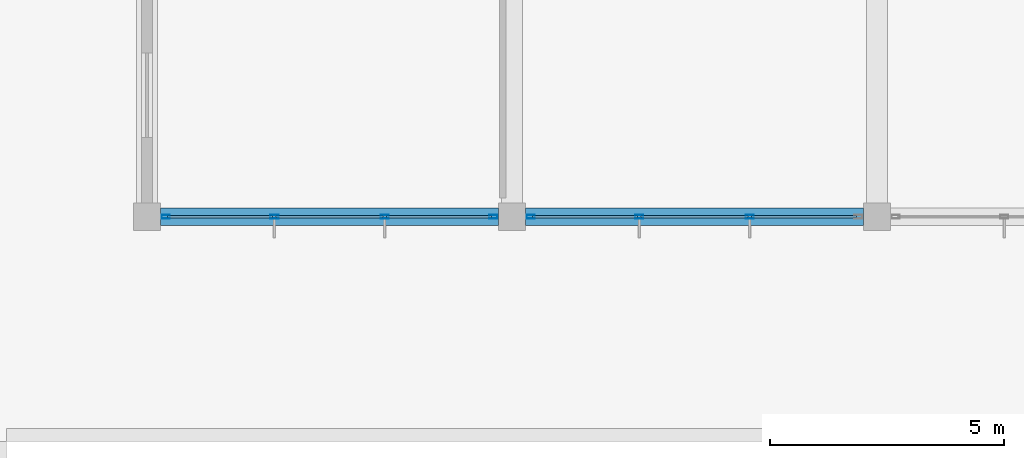
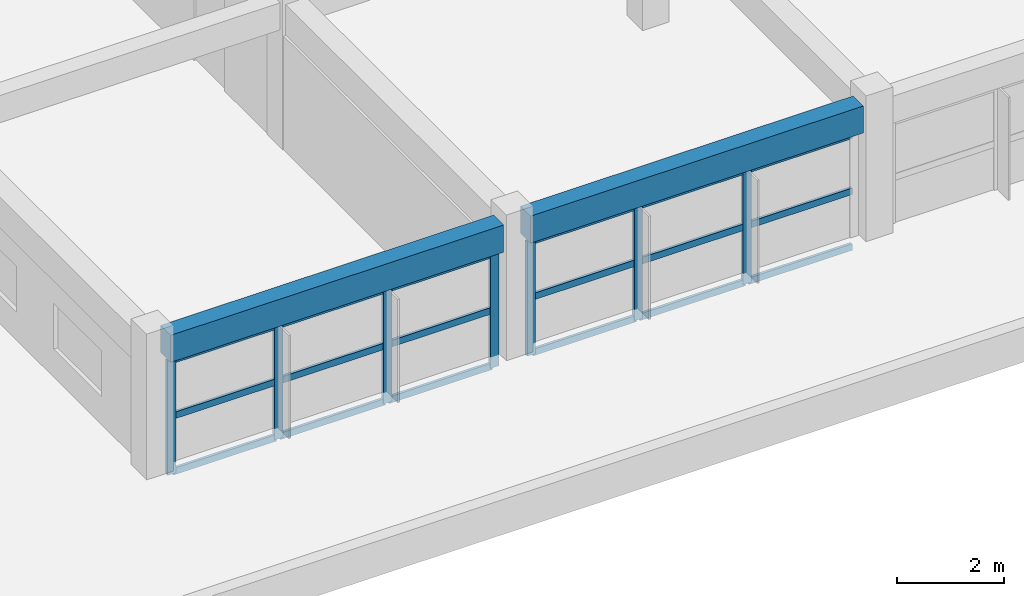
# One storey, part 49 of 101: 25 members, 2 beams, 2 elements without a shape of their own.
"""IFC4 building model written with IfcOpenShell, lengths in metres."""

from ifc_helpers import new_model, si_unit, direction, frame, origin, origin_2d, place, context, subcontext, project, spatial, rectangle, hollow_rectangle, extrude, material, layer, layer_set, material_profile, profile_set, type_object, element, aggregate, save


model = new_model("IFC4")

# Units and contexts
model_context = context("Model", 3, precision=1e-05, world=origin(), true_north=direction((0.0, 1.0)))
body_context = subcontext(model_context, "Body", "Model", "MODEL_VIEW")
ifc_project = project(units=[si_unit("LENGTHUNIT", "METRE"), si_unit("AREAUNIT", "SQUARE_METRE"), si_unit("VOLUMEUNIT", "CUBIC_METRE"), si_unit("PLANEANGLEUNIT", "RADIAN"), si_unit("MASSUNIT", "GRAM", prefix="KILO")], contexts=[model_context])

# Site, building, storey
site_placement = place(None, origin())
site = spatial("IfcSite", under=ifc_project, at=site_placement, CompositionType="ELEMENT")
building_placement = place(site_placement, origin())
building = spatial("IfcBuilding", under=site, at=building_placement, Name="Zizhar Promenade General Hospital", CompositionType="ELEMENT")
storey_placement = place(building_placement, frame((0.0, 0.0, 14.39990234375)))
storey = spatial("IfcBuildingStorey", under=building, at=storey_placement, Name="L03", CompositionType="ELEMENT", Elevation=14.39990234375)

# Beams
ifc_material_1 = material(Name="Concrete C35/45", Category="concrete")
ifc_material_profile_1 = material_profile(ifc_material_1, rectangle(XDim=0.3798828125, YDim=0.6201171875, at=origin_2d()))
ifc_profile_set_1 = profile_set([ifc_material_profile_1], Name="Concrete C35/45")
beam_type = type_object("IfcBeamType", Name="BM-RC-380x620", PredefinedType="JOIST", material=ifc_profile_set_1)
for number, where, z_axis, x_axis, name in (
    (1, (140.68994140625, 42.0, 3.0), (1.0, 0.0, 0.0), (0.0, 1.0, 0.0), "Grid Beam X L03 (18-5)"),
    (2, (148.489990234375, 42.0, 3.0), (1.0, 0.0, 0.0), (0.0, 1.0, 0.0), "Grid Beam X L03 (19-5)"),
):
    element("IfcBeam", number, at=place(storey_placement, frame(where, z_axis=z_axis, x_axis=x_axis)), inside=storey, type_object=beam_type, Name=name, PredefinedType="JOIST", context=body_context, shape_type="SweptSolid", body=[
        extrude(rectangle(XDim=0.3798828125, YDim=0.6201171875, at=origin_2d()), origin(), (0.0, 0.0, 1.0), 7.219970703125),
    ])

# Curtain wall, members
ifc_material_2 = material(Name="Anodised aluminium 6063-T6 and low-E glass", Category="aluminium")
ifc_layer = layer(ifc_material_2, 0.159912109375)
ifc_layer_set = layer_set([ifc_layer], Name="Anodised aluminium 6063-T6 and low-E glass")
curtain_wall_type = type_object("IfcCurtainWallType", Name="CW-CLN-L03", PredefinedType="NOTDEFINED", material=ifc_layer_set)
curtain_wall_1_placement = place(storey_placement, origin())
curtain_wall_1 = element("IfcCurtainWall", 3, at=curtain_wall_1_placement, inside=storey, type_object=curtain_wall_type, Name="L03 Clinic Pavilion South Glazing 18", PredefinedType="NOTDEFINED")
ifc_material_3 = material(Name="Anodised aluminium 6063-T6", Category="aluminium")
ifc_material_profile_2 = material_profile(ifc_material_3, hollow_rectangle(XDim=0.080078125, YDim=0.179931640625, WallThickness=0.0048828125, at=origin_2d()))
ifc_profile_set_2 = profile_set([ifc_material_profile_2], Name="Anodised aluminium 6063-T6")
member_type_1 = type_object("IfcMemberType", Name="CWM-ALU-180x80", PredefinedType="MULLION", material=ifc_profile_set_2)
member_1_placement = place(storey_placement, frame((147.800048828125, 42.0, 0.0), z_axis=(0.0, 0.0, 1.0), x_axis=(0.0, -1.0, 0.0)))
member_1 = element("IfcMember", 4, at=member_1_placement, type_object=member_type_1, Name="CW-11 mullion 1", PredefinedType="MULLION", context=body_context, shape_type="SweptSolid", body=[
    extrude(hollow_rectangle(XDim=0.080078125, YDim=0.179931640625, WallThickness=0.0048828125, at=origin_2d()), origin(), (0.0, 0.0, 1.0), 2.6201171875),
])
member_2_placement = place(storey_placement, frame((145.47998046875, 42.0, 0.0), z_axis=(0.0, 0.0, 1.0), x_axis=(0.0, -1.0, 0.0)))
member_2 = element("IfcMember", 5, at=member_2_placement, type_object=member_type_1, Name="CW-11 mullion 2", PredefinedType="MULLION", context=body_context, shape_type="SweptSolid", body=[
    extrude(hollow_rectangle(XDim=0.080078125, YDim=0.179931640625, WallThickness=0.0048828125, at=origin_2d()), origin(), (0.0, 0.0, 1.0), 2.6201171875),
])
member_3_placement = place(storey_placement, frame((143.1201171875, 42.0, 0.0), z_axis=(0.0, 0.0, 1.0), x_axis=(0.0, -1.0, 0.0)))
member_3 = element("IfcMember", 6, at=member_3_placement, type_object=member_type_1, Name="CW-11 mullion 3", PredefinedType="MULLION", context=body_context, shape_type="SweptSolid", body=[
    extrude(hollow_rectangle(XDim=0.080078125, YDim=0.179931640625, WallThickness=0.0048828125, at=origin_2d()), origin(), (0.0, 0.0, 1.0), 2.6201171875),
])
member_4_placement = place(storey_placement, frame((140.800048828125, 42.0, 0.0), z_axis=(0.0, 0.0, 1.0), x_axis=(0.0, -1.0, 0.0)))
member_4 = element("IfcMember", 7, at=member_4_placement, type_object=member_type_1, Name="CW-11 mullion 4", PredefinedType="MULLION", context=body_context, shape_type="SweptSolid", body=[
    extrude(hollow_rectangle(XDim=0.080078125, YDim=0.179931640625, WallThickness=0.0048828125, at=origin_2d()), origin(), (0.0, 0.0, 1.0), 2.6201171875),
])

curtain_wall_2_placement = place(storey_placement, origin())
curtain_wall_2 = element("IfcCurtainWall", 8, at=curtain_wall_2_placement, inside=storey, type_object=curtain_wall_type, Name="L03 Clinic Pavilion South Glazing 19", PredefinedType="NOTDEFINED")
member_5_placement = place(storey_placement, frame((153.280029296875, 42.0, 0.0), z_axis=(0.0, 0.0, 1.0), x_axis=(0.0, -1.0, 0.0)))
member_5 = element("IfcMember", 9, at=member_5_placement, type_object=member_type_1, Name="CW-11 mullion 2", PredefinedType="MULLION", context=body_context, shape_type="SweptSolid", body=[
    extrude(hollow_rectangle(XDim=0.080078125, YDim=0.179931640625, WallThickness=0.0048828125, at=origin_2d()), origin(), (0.0, 0.0, 1.0), 2.6201171875),
])
member_6_placement = place(storey_placement, frame((150.919921875, 42.0, 0.0), z_axis=(0.0, 0.0, 1.0), x_axis=(0.0, -1.0, 0.0)))
member_6 = element("IfcMember", 10, at=member_6_placement, type_object=member_type_1, Name="CW-11 mullion 3", PredefinedType="MULLION", context=body_context, shape_type="SweptSolid", body=[
    extrude(hollow_rectangle(XDim=0.080078125, YDim=0.179931640625, WallThickness=0.0048828125, at=origin_2d()), origin(), (0.0, 0.0, 1.0), 2.6201171875),
])
member_7_placement = place(storey_placement, frame((148.60009765625, 42.0, 0.0), z_axis=(0.0, 0.0, 1.0), x_axis=(0.0, -1.0, 0.0)))
member_7 = element("IfcMember", 11, at=member_7_placement, type_object=member_type_1, Name="CW-11 mullion 4", PredefinedType="MULLION", context=body_context, shape_type="SweptSolid", body=[
    extrude(hollow_rectangle(XDim=0.080078125, YDim=0.179931640625, WallThickness=0.0048828125, at=origin_2d()), origin(), (0.0, 0.0, 1.0), 2.6201171875),
])

# Member
ifc_material_4 = material(Name="Anodised aluminium 6063-T6", Category="aluminium")
ifc_material_profile_3 = material_profile(ifc_material_4, hollow_rectangle(XDim=0.06005859375, YDim=0.14990234375, WallThickness=0.00390625, at=origin_2d()))
ifc_profile_set_3 = profile_set([ifc_material_profile_3], Name="Anodised aluminium 6063-T6")
member_type_2 = type_object("IfcMemberType", Name="CWT-ALU-150x60", PredefinedType="USERDEFINED", material=ifc_profile_set_3)
member_8_placement = place(storey_placement, frame((147.760009765625, 42.0, 0.030029296875), z_axis=(-1.0, 0.0, 0.0), x_axis=(0.0, -1.0, 0.0)))
member_8 = element("IfcMember", 12, at=member_8_placement, type_object=member_type_2, Name="CW-11 transom 1.1", ObjectType="TRANSOM", PredefinedType="USERDEFINED", context=body_context, shape_type="SweptSolid", body=[
    extrude(hollow_rectangle(XDim=0.06005859375, YDim=0.14990234375, WallThickness=0.00390625, at=origin_2d()), origin(), (0.0, 0.0, 1.0), 2.239990234375),
])

member_9_placement = place(storey_placement, frame((147.760009765625, 42.0, 1.31005859375), z_axis=(-1.0, 0.0, 0.0), x_axis=(0.0, -1.0, 0.0)))
member_9 = element("IfcMember", 13, at=member_9_placement, type_object=member_type_2, Name="CW-11 transom 1.2", ObjectType="TRANSOM", PredefinedType="USERDEFINED", context=body_context, shape_type="SweptSolid", body=[
    extrude(hollow_rectangle(XDim=0.06005859375, YDim=0.14990234375, WallThickness=0.00390625, at=origin_2d()), origin(), (0.0, 0.0, 1.0), 2.239990234375),
])

member_10_placement = place(storey_placement, frame((147.760009765625, 42.0, 2.590087890625), z_axis=(-1.0, 0.0, 0.0), x_axis=(0.0, -1.0, 0.0)))
member_10 = element("IfcMember", 14, at=member_10_placement, type_object=member_type_2, Name="CW-11 transom 1.3", ObjectType="TRANSOM", PredefinedType="USERDEFINED", context=body_context, shape_type="SweptSolid", body=[
    extrude(hollow_rectangle(XDim=0.06005859375, YDim=0.14990234375, WallThickness=0.00390625, at=origin_2d()), origin(), (0.0, 0.0, 1.0), 2.239990234375),
])

member_11_placement = place(storey_placement, frame((145.43994140625, 42.0, 0.030029296875), z_axis=(-1.0, 0.0, 0.0), x_axis=(0.0, -1.0, 0.0)))
member_11 = element("IfcMember", 15, at=member_11_placement, type_object=member_type_2, Name="CW-11 transom 2.1", ObjectType="TRANSOM", PredefinedType="USERDEFINED", context=body_context, shape_type="SweptSolid", body=[
    extrude(hollow_rectangle(XDim=0.06005859375, YDim=0.14990234375, WallThickness=0.00390625, at=origin_2d()), origin(), (0.0, 0.0, 1.0), 2.280029296875),
])

member_12_placement = place(storey_placement, frame((145.43994140625, 42.0, 1.31005859375), z_axis=(-1.0, 0.0, 0.0), x_axis=(0.0, -1.0, 0.0)))
member_12 = element("IfcMember", 16, at=member_12_placement, type_object=member_type_2, Name="CW-11 transom 2.2", ObjectType="TRANSOM", PredefinedType="USERDEFINED", context=body_context, shape_type="SweptSolid", body=[
    extrude(hollow_rectangle(XDim=0.06005859375, YDim=0.14990234375, WallThickness=0.00390625, at=origin_2d()), origin(), (0.0, 0.0, 1.0), 2.280029296875),
])

member_13_placement = place(storey_placement, frame((145.43994140625, 42.0, 2.590087890625), z_axis=(-1.0, 0.0, 0.0), x_axis=(0.0, -1.0, 0.0)))
member_13 = element("IfcMember", 17, at=member_13_placement, type_object=member_type_2, Name="CW-11 transom 2.3", ObjectType="TRANSOM", PredefinedType="USERDEFINED", context=body_context, shape_type="SweptSolid", body=[
    extrude(hollow_rectangle(XDim=0.06005859375, YDim=0.14990234375, WallThickness=0.00390625, at=origin_2d()), origin(), (0.0, 0.0, 1.0), 2.280029296875),
])

member_14_placement = place(storey_placement, frame((143.080078125, 42.0, 0.030029296875), z_axis=(-1.0, 0.0, 0.0), x_axis=(0.0, -1.0, 0.0)))
member_14 = element("IfcMember", 18, at=member_14_placement, type_object=member_type_2, Name="CW-11 transom 3.1", ObjectType="TRANSOM", PredefinedType="USERDEFINED", context=body_context, shape_type="SweptSolid", body=[
    extrude(hollow_rectangle(XDim=0.06005859375, YDim=0.14990234375, WallThickness=0.00390625, at=origin_2d()), origin(), (0.0, 0.0, 1.0), 2.239990234375),
])

member_15_placement = place(storey_placement, frame((143.080078125, 42.0, 1.31005859375), z_axis=(-1.0, 0.0, 0.0), x_axis=(0.0, -1.0, 0.0)))
member_15 = element("IfcMember", 19, at=member_15_placement, type_object=member_type_2, Name="CW-11 transom 3.2", ObjectType="TRANSOM", PredefinedType="USERDEFINED", context=body_context, shape_type="SweptSolid", body=[
    extrude(hollow_rectangle(XDim=0.06005859375, YDim=0.14990234375, WallThickness=0.00390625, at=origin_2d()), origin(), (0.0, 0.0, 1.0), 2.239990234375),
])

member_16_placement = place(storey_placement, frame((143.080078125, 42.0, 2.590087890625), z_axis=(-1.0, 0.0, 0.0), x_axis=(0.0, -1.0, 0.0)))
member_16 = element("IfcMember", 20, at=member_16_placement, type_object=member_type_2, Name="CW-11 transom 3.3", ObjectType="TRANSOM", PredefinedType="USERDEFINED", context=body_context, shape_type="SweptSolid", body=[
    extrude(hollow_rectangle(XDim=0.06005859375, YDim=0.14990234375, WallThickness=0.00390625, at=origin_2d()), origin(), (0.0, 0.0, 1.0), 2.239990234375),
])

aggregate(curtain_wall_1, [member_1, member_2, member_3, member_4, member_8, member_9, member_10, member_11, member_12, member_13, member_14, member_15, member_16])

member_17_placement = place(storey_placement, frame((155.56005859375, 42.0, 0.030029296875), z_axis=(-1.0, 0.0, 0.0), x_axis=(0.0, -1.0, 0.0)))
member_17 = element("IfcMember", 21, at=member_17_placement, type_object=member_type_2, Name="CW-11 transom 1.1", ObjectType="TRANSOM", PredefinedType="USERDEFINED", context=body_context, shape_type="SweptSolid", body=[
    extrude(hollow_rectangle(XDim=0.06005859375, YDim=0.14990234375, WallThickness=0.00390625, at=origin_2d()), origin(), (0.0, 0.0, 1.0), 2.239990234375),
])

member_18_placement = place(storey_placement, frame((155.56005859375, 42.0, 1.31005859375), z_axis=(-1.0, 0.0, 0.0), x_axis=(0.0, -1.0, 0.0)))
member_18 = element("IfcMember", 22, at=member_18_placement, type_object=member_type_2, Name="CW-11 transom 1.2", ObjectType="TRANSOM", PredefinedType="USERDEFINED", context=body_context, shape_type="SweptSolid", body=[
    extrude(hollow_rectangle(XDim=0.06005859375, YDim=0.14990234375, WallThickness=0.00390625, at=origin_2d()), origin(), (0.0, 0.0, 1.0), 2.239990234375),
])

member_19_placement = place(storey_placement, frame((155.56005859375, 42.0, 2.590087890625), z_axis=(-1.0, 0.0, 0.0), x_axis=(0.0, -1.0, 0.0)))
member_19 = element("IfcMember", 23, at=member_19_placement, type_object=member_type_2, Name="CW-11 transom 1.3", ObjectType="TRANSOM", PredefinedType="USERDEFINED", context=body_context, shape_type="SweptSolid", body=[
    extrude(hollow_rectangle(XDim=0.06005859375, YDim=0.14990234375, WallThickness=0.00390625, at=origin_2d()), origin(), (0.0, 0.0, 1.0), 2.239990234375),
])

member_20_placement = place(storey_placement, frame((153.239990234375, 42.0, 0.030029296875), z_axis=(-1.0, 0.0, 0.0), x_axis=(0.0, -1.0, 0.0)))
member_20 = element("IfcMember", 24, at=member_20_placement, type_object=member_type_2, Name="CW-11 transom 2.1", ObjectType="TRANSOM", PredefinedType="USERDEFINED", context=body_context, shape_type="SweptSolid", body=[
    extrude(hollow_rectangle(XDim=0.06005859375, YDim=0.14990234375, WallThickness=0.00390625, at=origin_2d()), origin(), (0.0, 0.0, 1.0), 2.280029296875),
])

member_21_placement = place(storey_placement, frame((153.239990234375, 42.0, 1.31005859375), z_axis=(-1.0, 0.0, 0.0), x_axis=(0.0, -1.0, 0.0)))
member_21 = element("IfcMember", 25, at=member_21_placement, type_object=member_type_2, Name="CW-11 transom 2.2", ObjectType="TRANSOM", PredefinedType="USERDEFINED", context=body_context, shape_type="SweptSolid", body=[
    extrude(hollow_rectangle(XDim=0.06005859375, YDim=0.14990234375, WallThickness=0.00390625, at=origin_2d()), origin(), (0.0, 0.0, 1.0), 2.280029296875),
])

member_22_placement = place(storey_placement, frame((153.239990234375, 42.0, 2.590087890625), z_axis=(-1.0, 0.0, 0.0), x_axis=(0.0, -1.0, 0.0)))
member_22 = element("IfcMember", 26, at=member_22_placement, type_object=member_type_2, Name="CW-11 transom 2.3", ObjectType="TRANSOM", PredefinedType="USERDEFINED", context=body_context, shape_type="SweptSolid", body=[
    extrude(hollow_rectangle(XDim=0.06005859375, YDim=0.14990234375, WallThickness=0.00390625, at=origin_2d()), origin(), (0.0, 0.0, 1.0), 2.280029296875),
])

member_23_placement = place(storey_placement, frame((150.8798828125, 42.0, 0.030029296875), z_axis=(-1.0, 0.0, 0.0), x_axis=(0.0, -1.0, 0.0)))
member_23 = element("IfcMember", 27, at=member_23_placement, type_object=member_type_2, Name="CW-11 transom 3.1", ObjectType="TRANSOM", PredefinedType="USERDEFINED", context=body_context, shape_type="SweptSolid", body=[
    extrude(hollow_rectangle(XDim=0.06005859375, YDim=0.14990234375, WallThickness=0.00390625, at=origin_2d()), origin(), (0.0, 0.0, 1.0), 2.239990234375),
])

member_24_placement = place(storey_placement, frame((150.8798828125, 42.0, 1.31005859375), z_axis=(-1.0, 0.0, 0.0), x_axis=(0.0, -1.0, 0.0)))
member_24 = element("IfcMember", 28, at=member_24_placement, type_object=member_type_2, Name="CW-11 transom 3.2", ObjectType="TRANSOM", PredefinedType="USERDEFINED", context=body_context, shape_type="SweptSolid", body=[
    extrude(hollow_rectangle(XDim=0.06005859375, YDim=0.14990234375, WallThickness=0.00390625, at=origin_2d()), origin(), (0.0, 0.0, 1.0), 2.239990234375),
])

member_25_placement = place(storey_placement, frame((150.8798828125, 42.0, 2.590087890625), z_axis=(-1.0, 0.0, 0.0), x_axis=(0.0, -1.0, 0.0)))
member_25 = element("IfcMember", 29, at=member_25_placement, type_object=member_type_2, Name="CW-11 transom 3.3", ObjectType="TRANSOM", PredefinedType="USERDEFINED", context=body_context, shape_type="SweptSolid", body=[
    extrude(hollow_rectangle(XDim=0.06005859375, YDim=0.14990234375, WallThickness=0.00390625, at=origin_2d()), origin(), (0.0, 0.0, 1.0), 2.239990234375),
])

aggregate(curtain_wall_2, [member_5, member_6, member_7, member_17, member_18, member_19, member_20, member_21, member_22, member_23, member_24, member_25])

save(model, "model.ifc")
